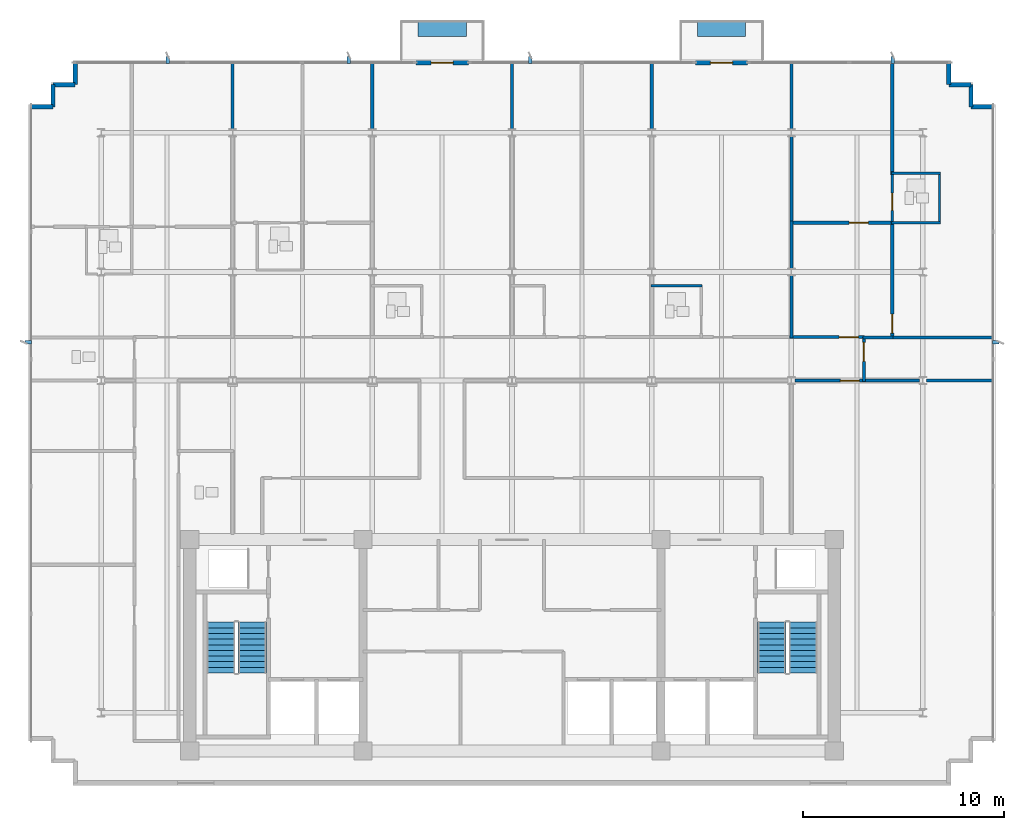
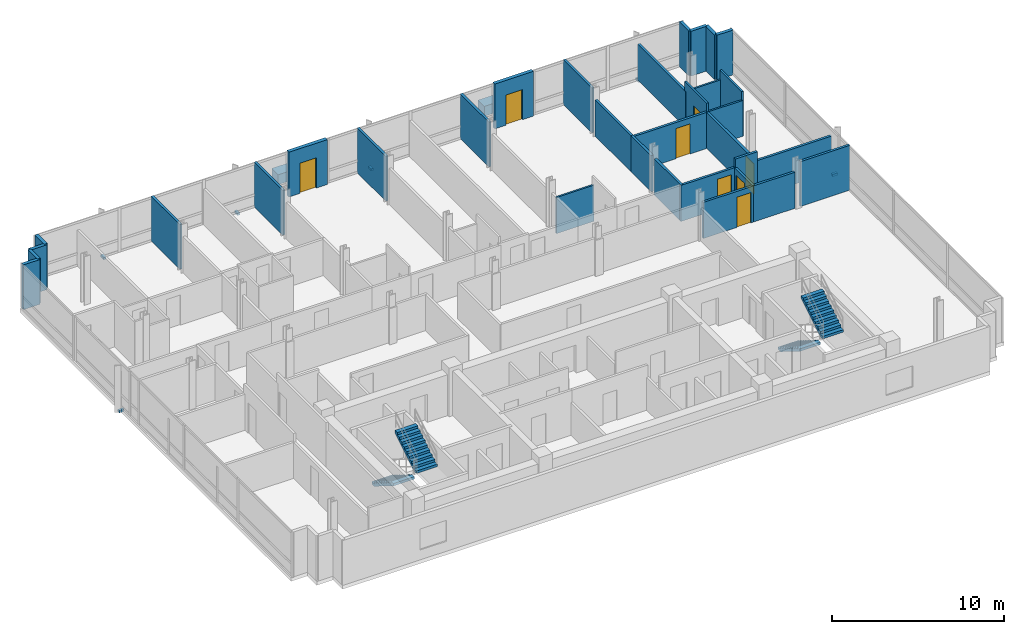
# One storey, part 11 of 14: 33 walls, 8 discrete accessories, 8 doors, 4 stair flights, 8 openings, 2 elements without a shape of their own.
"""IFC4 building model written with IfcOpenShell, lengths in metres."""

from ifc_helpers import new_model, si_unit, direction, frame, frame_2d, origin, origin_2d, place, context, subcontext, project, spatial, polyline, rectangle, outline, extrude, material, layer, layer_set, type_object, element, fill, aggregate, save


model = new_model("IFC4")

# Units and contexts
model_context = context("Model", 3, precision=1e-05, world=origin(), true_north=direction((0.0, 1.0)))
body_context = subcontext(model_context, "Body", "Model", "MODEL_VIEW")
ifc_project = project(units=[si_unit("LENGTHUNIT", "METRE"), si_unit("AREAUNIT", "SQUARE_METRE"), si_unit("VOLUMEUNIT", "CUBIC_METRE"), si_unit("PLANEANGLEUNIT", "RADIAN"), si_unit("MASSUNIT", "GRAM", prefix="KILO")], contexts=[model_context])

# Site, building, storey
site_placement = place(None, origin())
site = spatial("IfcSite", under=ifc_project, at=site_placement, CompositionType="ELEMENT")
building_placement = place(site_placement, origin())
building = spatial("IfcBuilding", under=site, at=building_placement, Name="Solmavex Isthmus Hotel", CompositionType="ELEMENT")
storey_placement = place(building_placement, frame((0.0, 0.0, 248.85009765625)))
storey = spatial("IfcBuildingStorey", under=building, at=storey_placement, Name="L67", CompositionType="ELEMENT", Elevation=248.85009765625)

# Wall, opening, door
ifc_material_1 = material(Name="Precast Concrete C40/50", Category="concrete")
ifc_layer_1 = layer(ifc_material_1, 0.25)
ifc_layer_set_1 = layer_set([ifc_layer_1], Name="Precast Concrete C40/50")
wall_type_1 = type_object("IfcWallType", Name="EW-TWR-250", PredefinedType="STANDARD", material=ifc_layer_set_1)
wall_1_placement = place(storey_placement, frame((-4.76806640625, 21.179931640625, 0.0), z_axis=(0.0, 0.0, 1.0), x_axis=(1.0, 0.0, 0.0)))
wall_1 = element("IfcWall", 1, at=wall_1_placement, inside=storey, type_object=wall_type_1, Name="Exterior Balcony Door Wall L67-2", PredefinedType="STANDARD", context=body_context, shape_type="SweptSolid", body=[
    extrude(rectangle(XDim=2.60009765625, YDim=0.239990234375, at=frame_2d((1.300048828125, 0.0))), origin(), (0.0, 0.0, 1.0), 3.18994140625),
])
opening_1_placement = place(wall_1_placement, frame((0.75, 0.0, 0.0)))
opening_1 = element("IfcOpeningElement", 2, at=opening_1_placement, cuts=wall_1, Name="Opening ED-02", PredefinedType="OPENING", context=body_context, shape_type="SweptSolid", body=[
    extrude(rectangle(XDim=1.10009765625, YDim=2.14990234375, at=frame_2d((0.550048828125, 1.074951171875))), frame((0.0, 0.1298828125, 0.0), z_axis=(0.0, -1.0, 0.0), x_axis=(1.0, 0.0, 0.0)), (0.0, 0.0, 1.0), 0.260009765625),
])
ifc_material_2 = material(Name="Aluminium alloy 6063-T6", Category="aluminium")
door_type_1 = type_object("IfcDoorType", Name="EDR-BALC-1100", OperationType="NOTDEFINED", PredefinedType="DOOR", material=ifc_material_2)
door_1_placement = place(opening_1_placement, origin())
door_1 = element("IfcDoor", 3, at=door_1_placement, inside=storey, type_object=door_type_1, Name="Balcony & Terrace Glazed Door L67-2", OperationType="SINGLE_SWING_RIGHT", OverallHeight=2.14990234375, OverallWidth=1.10009765625, PredefinedType="DOOR", context=body_context, shape_type="SweptSolid", body=[
    extrude(rectangle(XDim=1.10009765625, YDim=2.14990234375, at=frame_2d((0.550048828125, 1.074951171875))), frame((0.0, 0.02490234375, 0.0), z_axis=(0.0, -1.0, 0.0), x_axis=(1.0, 0.0, 0.0)), (0.0, 0.0, 1.0), 0.050048828125),
])
fill(opening_1, door_1)

wall_2_placement = place(storey_placement, frame((9.10400390625, 21.179931640625, 0.0), z_axis=(0.0, 0.0, 1.0), x_axis=(1.0, 0.0, 0.0)))
wall_2 = element("IfcWall", 4, at=wall_2_placement, inside=storey, type_object=wall_type_1, Name="Exterior Balcony Door Wall L67-3", PredefinedType="STANDARD", context=body_context, shape_type="SweptSolid", body=[
    extrude(rectangle(XDim=2.60009765625, YDim=0.239990234375, at=frame_2d((1.300048828125, 0.0))), origin(), (0.0, 0.0, 1.0), 3.18994140625),
])
opening_2_placement = place(wall_2_placement, frame((0.75, 0.0, 0.0)))
opening_2 = element("IfcOpeningElement", 5, at=opening_2_placement, cuts=wall_2, Name="Opening ED-02", PredefinedType="OPENING", context=body_context, shape_type="SweptSolid", body=[
    extrude(rectangle(XDim=1.10009765625, YDim=2.14990234375, at=frame_2d((0.550048828125, 1.074951171875))), frame((0.0, 0.1298828125, 0.0), z_axis=(0.0, -1.0, 0.0), x_axis=(1.0, 0.0, 0.0)), (0.0, 0.0, 1.0), 0.260009765625),
])
door_2_placement = place(opening_2_placement, origin())
door_2 = element("IfcDoor", 6, at=door_2_placement, inside=storey, type_object=door_type_1, Name="Balcony & Terrace Glazed Door L67-3", OperationType="SINGLE_SWING_LEFT", OverallHeight=2.14990234375, OverallWidth=1.10009765625, PredefinedType="DOOR", context=body_context, shape_type="SweptSolid", body=[
    extrude(rectangle(XDim=1.10009765625, YDim=2.14990234375, at=frame_2d((0.550048828125, 1.074951171875))), frame((0.0, 0.02490234375, 0.0), z_axis=(0.0, -1.0, 0.0), x_axis=(1.0, 0.0, 0.0)), (0.0, 0.0, 1.0), 0.050048828125),
])
fill(opening_2, door_2)

# Walls
wall_3_placement = place(storey_placement, frame((-23.889892578125, 18.989990234375, 0.0), z_axis=(0.0, 0.0, 1.0), x_axis=(1.0, 0.0, 0.0)))
element("IfcWall", 7, at=wall_3_placement, inside=storey, type_object=wall_type_1, Name="Serrated Corner Facade Panel L67-06", PredefinedType="STANDARD", context=body_context, shape_type="SweptSolid", body=[
    extrude(rectangle(XDim=1.099853515625, YDim=0.219970703125, at=frame_2d((0.5498046875, 0.0))), origin(), (0.0, 0.0, 1.0), 3.18994140625),
])
for number, where, z_axis, x_axis, name in (
    (8, (-22.7900390625, 18.989990234375, 0.0), (0.0, 0.0, 1.0), (0.0, 1.0, 0.0), "Serrated Corner Facade Panel L67-07"),
    (9, (-22.7900390625, 20.090087890625, 0.0), (0.0, 0.0, 1.0), (1.0, 0.0, 0.0), "Serrated Corner Facade Panel L67-08"),
):
    element("IfcWall", number, at=place(storey_placement, frame(where, z_axis=z_axis, x_axis=x_axis)), inside=storey, type_object=wall_type_1, Name=name, PredefinedType="STANDARD", context=body_context, shape_type="SweptSolid", body=[
        extrude(rectangle(XDim=1.10009765625, YDim=0.219970703125, at=frame_2d((0.550048828125, 0.0))), origin(), (0.0, 0.0, 1.0), 3.18994140625),
    ])
for number, where, z_axis, x_axis, name in (
    (10, (-21.68994140625, 20.090087890625, 0.0), (0.0, 0.0, 1.0), (0.0, 1.0, 0.0), "Serrated Corner Facade Panel L67-09"),
    (11, (21.68994140625, 21.18994140625, 0.0), (0.0, 0.0, 1.0), (0.0, -1.0, 0.0), "Serrated Corner Facade Panel L67-11"),
):
    element("IfcWall", number, at=place(storey_placement, frame(where, z_axis=z_axis, x_axis=x_axis)), inside=storey, type_object=wall_type_1, Name=name, PredefinedType="STANDARD", context=body_context, shape_type="SweptSolid", body=[
        extrude(rectangle(XDim=1.099853515625, YDim=0.219970703125, at=frame_2d((0.5498046875, 0.0))), origin(), (0.0, 0.0, 1.0), 3.18994140625),
    ])
for number, where, z_axis, x_axis, name in (
    (12, (21.68994140625, 20.090087890625, 0.0), (0.0, 0.0, 1.0), (1.0, 0.0, 0.0), "Serrated Corner Facade Panel L67-12"),
    (13, (22.7900390625, 20.090087890625, 0.0), (0.0, 0.0, 1.0), (0.0, -1.0, 0.0), "Serrated Corner Facade Panel L67-13"),
):
    element("IfcWall", number, at=place(storey_placement, frame(where, z_axis=z_axis, x_axis=x_axis)), inside=storey, type_object=wall_type_1, Name=name, PredefinedType="STANDARD", context=body_context, shape_type="SweptSolid", body=[
        extrude(rectangle(XDim=1.10009765625, YDim=0.219970703125, at=frame_2d((0.550048828125, 0.0))), origin(), (0.0, 0.0, 1.0), 3.18994140625),
    ])
wall_4_placement = place(storey_placement, frame((22.7900390625, 18.989990234375, 0.0), z_axis=(0.0, 0.0, 1.0), x_axis=(1.0, 0.0, 0.0)))
element("IfcWall", 14, at=wall_4_placement, inside=storey, type_object=wall_type_1, Name="Serrated Corner Facade Panel L67-14", PredefinedType="STANDARD", context=body_context, shape_type="SweptSolid", body=[
    extrude(rectangle(XDim=1.099853515625, YDim=0.219970703125, at=frame_2d((0.5498046875, 0.0))), origin(), (0.0, 0.0, 1.0), 3.18994140625),
])
ifc_material_3 = material(Name="Gypsum plasterboard lining", Category="gypsum")
ifc_layer_2 = layer(ifc_material_3, 0.159912109375)
ifc_layer_set_2 = layer_set([ifc_layer_2], Name="Gypsum plasterboard lining")
wall_type_2 = type_object("IfcWallType", Name="IW-COMP-160", PredefinedType="PARTITIONING", material=ifc_layer_set_2)
for number, where, z_axis, x_axis, name in (
    (15, (-13.8720703125, 21.219970703125, 0.0), (0.0, 0.0, 1.0), (0.0, -1.0, 0.0), "Interior Partition Wall W-L67-P049"),
    (16, (-6.93603515625, 21.219970703125, 0.0), (0.0, 0.0, 1.0), (0.0, -1.0, 0.0), "Interior Partition Wall W-L67-P060"),
    (17, (0.0, 21.219970703125, 0.0), (0.0, 0.0, 1.0), (0.0, -1.0, 0.0), "Interior Partition Wall W-L67-P065"),
    (18, (6.93603515625, 21.219970703125, 0.0), (0.0, 0.0, 1.0), (0.0, -1.0, 0.0), "Interior Partition Wall W-L67-P071"),
):
    element("IfcWall", number, at=place(storey_placement, frame(where, z_axis=z_axis, x_axis=x_axis)), inside=storey, type_object=wall_type_2, Name=name, PredefinedType="PARTITIONING", context=body_context, shape_type="SweptSolid", body=[
        extrude(rectangle(XDim=3.344970703125, YDim=0.159912109375, at=frame_2d((1.67236328125, 0.0))), origin(), (0.0, 0.0, 1.0), 3.18994140625),
    ])
wall_5_placement = place(storey_placement, frame((13.8720703125, 10.613037109375, 0.0), z_axis=(0.0, 0.0, 1.0), x_axis=(0.0, -1.0, 0.0)))
element("IfcWall", 19, at=wall_5_placement, inside=storey, type_object=wall_type_2, Name="Interior Partition Wall W-L67-P074", PredefinedType="PARTITIONING", context=body_context, shape_type="SweptSolid", body=[
    extrude(rectangle(XDim=3.10302734375, YDim=0.159912109375, at=frame_2d((1.551513671875, 0.0))), origin(), (0.0, 0.0, 1.0), 2.572265625),
])
wall_6_placement = place(storey_placement, frame((13.8720703125, 13.320068359375, 0.0), z_axis=(0.0, 0.0, 1.0), x_axis=(0.0, -1.0, 0.0)))
element("IfcWall", 20, at=wall_6_placement, inside=storey, type_object=wall_type_2, Name="Interior Partition Wall W-L67-P075", PredefinedType="PARTITIONING", context=body_context, shape_type="SweptSolid", body=[
    extrude(rectangle(XDim=2.357177734375, YDim=0.159912109375, at=frame_2d((1.1787109375, 0.0))), origin(), (0.0, 0.0, 1.0), 2.572265625),
])
wall_7_placement = place(storey_placement, frame((13.8720703125, 17.52490234375, 0.0), z_axis=(0.0, 0.0, 1.0), x_axis=(0.0, -1.0, 0.0)))
element("IfcWall", 21, at=wall_7_placement, inside=storey, type_object=wall_type_2, Name="Interior Partition Wall W-L67-P076", PredefinedType="PARTITIONING", context=body_context, shape_type="SweptSolid", body=[
    extrude(rectangle(XDim=4.368896484375, YDim=0.159912109375, at=frame_2d((2.1845703125, 0.0))), origin(), (0.0, 0.0, 1.0), 2.572265625),
])
wall_8_placement = place(storey_placement, frame((13.8720703125, 21.219970703125, 0.0), z_axis=(0.0, 0.0, 1.0), x_axis=(0.0, -1.0, 0.0)))
element("IfcWall", 22, at=wall_8_placement, inside=storey, type_object=wall_type_2, Name="Interior Partition Wall W-L67-P077", PredefinedType="PARTITIONING", context=body_context, shape_type="SweptSolid", body=[
    extrude(rectangle(XDim=3.344970703125, YDim=0.159912109375, at=frame_2d((1.67236328125, 0.0))), origin(), (0.0, 0.0, 1.0), 3.18994140625),
])

# Wall, opening, door
wall_9_placement = place(storey_placement, frame((13.83203125, 13.238037109375, 0.0), z_axis=(0.0, 0.0, 1.0), x_axis=(1.0, 0.0, 0.0)))
wall_9 = element("IfcWall", 23, at=wall_9_placement, inside=storey, type_object=wall_type_2, Name="Interior Partition Wall W-L67-P078", PredefinedType="PARTITIONING", context=body_context, shape_type="SweptSolid", body=[
    extrude(rectangle(XDim=5.083984375, YDim=0.159912109375, at=frame_2d((2.5419921875, 0.0))), origin(), (0.0, 0.0, 1.0), 2.572265625),
])
opening_3_placement = place(wall_9_placement, frame((2.90771484375, 0.0, 0.0)))
opening_3 = element("IfcOpeningElement", 24, at=opening_3_placement, cuts=wall_9, Name="Opening ID-C095", PredefinedType="OPENING", context=body_context, shape_type="SweptSolid", body=[
    extrude(rectangle(XDim=0.949951171875, YDim=2.14990234375, at=frame_2d((0.47509765625, 1.074951171875))), frame((0.0, 0.08984375, 0.0), z_axis=(0.0, -1.0, 0.0), x_axis=(1.0, 0.0, 0.0)), (0.0, 0.0, 1.0), 0.179931640625),
])
ifc_material_4 = material(Name="Hardwood timber", Category="wood")
door_type_2 = type_object("IfcDoorType", Name="IDR-FD60-0950", OperationType="NOTDEFINED", PredefinedType="DOOR", material=ifc_material_4)
door_3_placement = place(opening_3_placement, origin())
door_3 = element("IfcDoor", 25, at=door_3_placement, inside=storey, type_object=door_type_2, Name="Junior Suite Master Bedroom Door L67-17", OperationType="SINGLE_SWING_LEFT", OverallHeight=2.14990234375, OverallWidth=0.949951171875, PredefinedType="DOOR", context=body_context, shape_type="SweptSolid", body=[
    extrude(rectangle(XDim=0.949951171875, YDim=2.14990234375, at=frame_2d((0.47509765625, 1.074951171875))), frame((0.0, 0.02490234375, 0.0), z_axis=(0.0, -1.0, 0.0), x_axis=(1.0, 0.0, 0.0)), (0.0, 0.0, 1.0), 0.050048828125),
])
fill(opening_3, door_3)

wall_10_placement = place(storey_placement, frame((18.8759765625, 13.278076171875, 0.0), z_axis=(0.0, 0.0, 1.0), x_axis=(0.0, -1.0, 0.0)))
wall_10 = element("IfcWall", 26, at=wall_10_placement, inside=storey, type_object=wall_type_2, Name="Interior Partition Wall W-L67-P079", PredefinedType="PARTITIONING", context=body_context, shape_type="SweptSolid", body=[
    extrude(rectangle(XDim=5.7880859375, YDim=0.159912109375, at=frame_2d((2.89404296875, 0.0))), origin(), (0.0, 0.0, 1.0), 2.572265625),
])
opening_4_placement = place(wall_10_placement, frame((4.57666015625, 0.0, 0.0)))
opening_4 = element("IfcOpeningElement", 27, at=opening_4_placement, cuts=wall_10, Name="Opening ID-C095", PredefinedType="OPENING", context=body_context, shape_type="SweptSolid", body=[
    extrude(rectangle(XDim=0.949951171875, YDim=2.14990234375, at=frame_2d((0.47509765625, 1.074951171875))), frame((0.0, 0.08984375, 0.0), z_axis=(0.0, -1.0, 0.0), x_axis=(1.0, 0.0, 0.0)), (0.0, 0.0, 1.0), 0.179931640625),
])
door_4_placement = place(opening_4_placement, frame((0.949951171875, 0.0, 0.0), z_axis=(0.0, 0.0, 1.0), x_axis=(-1.0, 0.0, 0.0)))
door_4 = element("IfcDoor", 28, at=door_4_placement, inside=storey, type_object=door_type_2, Name="Junior Suite Living Lounge Door L67-18", OperationType="SINGLE_SWING_RIGHT", OverallHeight=2.14990234375, OverallWidth=0.949951171875, PredefinedType="DOOR", context=body_context, shape_type="SweptSolid", body=[
    extrude(rectangle(XDim=0.949951171875, YDim=2.14990234375, at=frame_2d((0.47509765625, 1.074951171875))), frame((0.0, 0.02490234375, 0.0), z_axis=(0.0, -1.0, 0.0), x_axis=(1.0, 0.0, 0.0)), (0.0, 0.0, 1.0), 0.050048828125),
])
fill(opening_4, door_4)

# Walls
wall_11_placement = place(storey_placement, frame((18.916015625, 7.530029296875, 0.0), z_axis=(0.0, 0.0, 1.0), x_axis=(-1.0, 0.0, 0.0)))
element("IfcWall", 29, at=wall_11_placement, inside=storey, type_object=wall_type_2, Name="Interior Partition Wall W-L67-P080", PredefinedType="PARTITIONING", context=body_context, shape_type="SweptSolid", body=[
    extrude(rectangle(XDim=1.484130859375, YDim=0.159912109375, at=frame_2d((0.7421875, 0.0))), origin(), (0.0, 0.0, 1.0), 3.18994140625),
])
wall_12_placement = place(storey_placement, frame((18.8759765625, 21.219970703125, 0.0), z_axis=(0.0, 0.0, 1.0), x_axis=(0.0, -1.0, 0.0)))
element("IfcWall", 30, at=wall_12_placement, inside=storey, type_object=wall_type_2, Name="Interior Partition Wall W-L67-P081", PredefinedType="PARTITIONING", context=body_context, shape_type="SweptSolid", body=[
    extrude(rectangle(XDim=5.614013671875, YDim=0.159912109375, at=frame_2d((2.80712890625, 0.0))), origin(), (0.0, 0.0, 1.0), 2.557373046875),
])
wall_13_placement = place(storey_placement, frame((23.919921875, 7.530029296875, 0.0), z_axis=(0.0, 0.0, 1.0), x_axis=(-1.0, 0.0, 0.0)))
element("IfcWall", 31, at=wall_13_placement, inside=storey, type_object=wall_type_2, Name="Interior Partition Wall W-L67-P086", PredefinedType="PARTITIONING", context=body_context, shape_type="SweptSolid", body=[
    extrude(rectangle(XDim=5.083984375, YDim=0.159912109375, at=frame_2d((2.5419921875, 0.0))), origin(), (0.0, 0.0, 1.0), 2.557373046875),
])
wall_14_placement = place(storey_placement, frame((20.22509765625, 5.39990234375, 0.0), z_axis=(0.0, 0.0, 1.0), x_axis=(-1.0, 0.0, 0.0)))
element("IfcWall", 32, at=wall_14_placement, inside=storey, type_object=wall_type_2, Name="Interior Partition Wall W-L67-P091", PredefinedType="PARTITIONING", context=body_context, shape_type="SweptSolid", body=[
    extrude(rectangle(XDim=2.793212890625, YDim=0.159912109375, at=frame_2d((1.396484375, 0.0))), origin(), (0.0, 0.0, 1.0), 2.572265625),
])
wall_15_placement = place(storey_placement, frame((23.919921875, 5.39990234375, 0.0), z_axis=(0.0, 0.0, 1.0), x_axis=(-1.0, 0.0, 0.0)))
element("IfcWall", 33, at=wall_15_placement, inside=storey, type_object=wall_type_2, Name="Interior Partition Wall W-L67-P092", PredefinedType="PARTITIONING", context=body_context, shape_type="SweptSolid", body=[
    extrude(rectangle(XDim=3.344970703125, YDim=0.159912109375, at=frame_2d((1.67236328125, 0.0))), origin(), (0.0, 0.0, 1.0), 3.18994140625),
])

# Wall, opening, door
ifc_layer_3 = layer(ifc_material_3, 0.14990234375)
ifc_layer_set_3 = layer_set([ifc_layer_3], Name="Gypsum plasterboard lining")
wall_type_3 = type_object("IfcWallType", Name="IW-CORR-150", PredefinedType="PARTITIONING", material=ifc_layer_set_3)
wall_16_placement = place(storey_placement, frame((13.7900390625, 7.550048828125, 0.0), z_axis=(0.0, 0.0, 1.0), x_axis=(1.0, 0.0, 0.0)))
wall_16 = element("IfcWall", 34, at=wall_16_placement, inside=storey, type_object=wall_type_3, Name="Interior Partition Wall W-L67-P010", PredefinedType="PARTITIONING", context=body_context, shape_type="SweptSolid", body=[
    extrude(rectangle(XDim=3.721923828125, YDim=0.14990234375, at=frame_2d((1.86083984375, 0.0))), origin(), (0.0, 0.0, 1.0), 2.572265625),
])
opening_5_placement = place(wall_16_placement, frame((2.456787109375, 0.0, 0.0)))
opening_5 = element("IfcOpeningElement", 35, at=opening_5_placement, cuts=wall_16, Name="Opening ID-C095", PredefinedType="OPENING", context=body_context, shape_type="SweptSolid", body=[
    extrude(rectangle(XDim=0.949951171875, YDim=2.14990234375, at=frame_2d((0.47509765625, 1.074951171875))), frame((0.0, 0.0849609375, 0.0), z_axis=(0.0, -1.0, 0.0), x_axis=(1.0, 0.0, 0.0)), (0.0, 0.0, 1.0), 0.169921875),
])
door_5_placement = place(opening_5_placement, origin())
door_5 = element("IfcDoor", 36, at=door_5_placement, inside=storey, type_object=door_type_2, Name="Junior Suite Entrance Hall Door L67-16", OperationType="SINGLE_SWING_RIGHT", OverallHeight=2.14990234375, OverallWidth=0.949951171875, PredefinedType="DOOR", context=body_context, shape_type="SweptSolid", body=[
    extrude(rectangle(XDim=0.949951171875, YDim=2.14990234375, at=frame_2d((0.47509765625, 1.074951171875))), frame((0.0, 0.02490234375, 0.0), z_axis=(0.0, -1.0, 0.0), x_axis=(1.0, 0.0, 0.0)), (0.0, 0.0, 1.0), 0.050048828125),
])
fill(opening_5, door_5)

wall_17_placement = place(storey_placement, frame((17.471923828125, 7.570068359375, 0.0), z_axis=(0.0, 0.0, 1.0), x_axis=(0.0, -1.0, 0.0)))
wall_17 = element("IfcWall", 37, at=wall_17_placement, inside=storey, type_object=wall_type_3, Name="Interior Partition Wall W-L67-P013", PredefinedType="PARTITIONING", context=body_context, shape_type="SweptSolid", body=[
    extrude(rectangle(XDim=2.2099609375, YDim=0.14990234375, at=frame_2d((1.10498046875, 0.0))), origin(), (0.0, 0.0, 1.0), 2.572265625),
])
opening_6_placement = place(wall_17_placement, frame((0.272216796875, 0.0, 0.0)))
opening_6 = element("IfcOpeningElement", 38, at=opening_6_placement, cuts=wall_17, Name="Opening ID-C095", PredefinedType="OPENING", context=body_context, shape_type="SweptSolid", body=[
    extrude(rectangle(XDim=0.949951171875, YDim=2.14990234375, at=frame_2d((0.47509765625, 1.074951171875))), frame((0.0, 0.0849609375, 0.0), z_axis=(0.0, -1.0, 0.0), x_axis=(1.0, 0.0, 0.0)), (0.0, 0.0, 1.0), 0.169921875),
])
door_6_placement = place(opening_6_placement, frame((0.949951171875, 0.0, 0.0), z_axis=(0.0, 0.0, 1.0), x_axis=(-1.0, 0.0, 0.0)))
door_6 = element("IfcDoor", 39, at=door_6_placement, inside=storey, type_object=door_type_2, Name="Finishing Kitchen Door L67-22", OperationType="SINGLE_SWING_RIGHT", OverallHeight=2.14990234375, OverallWidth=0.949951171875, PredefinedType="DOOR", context=body_context, shape_type="SweptSolid", body=[
    extrude(rectangle(XDim=0.949951171875, YDim=2.14990234375, at=frame_2d((0.47509765625, 1.074951171875))), frame((0.0, 0.02490234375, 0.0), z_axis=(0.0, -1.0, 0.0), x_axis=(1.0, 0.0, 0.0)), (0.0, 0.0, 1.0), 0.050048828125),
])
fill(opening_6, door_6)

wall_18_placement = place(storey_placement, frame((17.511962890625, 5.39990234375, 0.0), z_axis=(0.0, 0.0, 1.0), x_axis=(-1.0, 0.0, 0.0)))
wall_18 = element("IfcWall", 40, at=wall_18_placement, inside=storey, type_object=wall_type_3, Name="Interior Partition Wall W-L67-P033", PredefinedType="PARTITIONING", context=body_context, shape_type="SweptSolid", body=[
    extrude(rectangle(XDim=3.46484375, YDim=0.14990234375, at=frame_2d((1.732421875, 0.0))), origin(), (0.0, 0.0, 1.0), 2.572265625),
])
opening_7_placement = place(wall_18_placement, frame((0.26220703125, 0.0, 0.0)))
opening_7 = element("IfcOpeningElement", 41, at=opening_7_placement, cuts=wall_18, Name="Opening ID-C095", PredefinedType="OPENING", context=body_context, shape_type="SweptSolid", body=[
    extrude(rectangle(XDim=0.949951171875, YDim=2.14990234375, at=frame_2d((0.47509765625, 1.074951171875))), frame((0.0, 0.0849609375, 0.0), z_axis=(0.0, -1.0, 0.0), x_axis=(1.0, 0.0, 0.0)), (0.0, 0.0, 1.0), 0.169921875),
])
door_7_placement = place(opening_7_placement, origin())
door_7 = element("IfcDoor", 42, at=door_7_placement, inside=storey, type_object=door_type_2, Name="Reading Library Door L67-27", OperationType="SINGLE_SWING_LEFT", OverallHeight=2.14990234375, OverallWidth=0.949951171875, PredefinedType="DOOR", context=body_context, shape_type="SweptSolid", body=[
    extrude(rectangle(XDim=0.949951171875, YDim=2.14990234375, at=frame_2d((0.47509765625, 1.074951171875))), frame((0.0, 0.02490234375, 0.0), z_axis=(0.0, -1.0, 0.0), x_axis=(1.0, 0.0, 0.0)), (0.0, 0.0, 1.0), 0.050048828125),
])
fill(opening_7, door_7)

# Wall
ifc_layer_4 = layer(ifc_material_3, 0.1201171875)
ifc_layer_set_4 = layer_set([ifc_layer_4], Name="Gypsum plasterboard lining")
wall_type_4 = type_object("IfcWallType", Name="IW-PART-120", PredefinedType="PARTITIONING", material=ifc_layer_set_4)
wall_19_placement = place(storey_placement, frame((9.426025390625, 10.10009765625, 0.0), z_axis=(0.0, 0.0, 1.0), x_axis=(-1.0, 0.0, 0.0)))
element("IfcWall", 43, at=wall_19_placement, inside=storey, type_object=wall_type_4, Name="Interior Partition Wall W-L67-P073", PredefinedType="PARTITIONING", context=body_context, shape_type="SweptSolid", body=[
    extrude(rectangle(XDim=2.530029296875, YDim=0.1201171875, at=frame_2d((1.26513671875, 0.0))), origin(), (0.0, 0.0, 1.0), 2.572265625),
])

# Wall, opening, door
wall_20_placement = place(storey_placement, frame((18.8759765625, 15.77001953125, 0.0), z_axis=(0.0, 0.0, 1.0), x_axis=(0.0, -1.0, 0.0)))
wall_20 = element("IfcWall", 44, at=wall_20_placement, inside=storey, type_object=wall_type_4, Name="Interior Partition Wall W-L67-P082", PredefinedType="PARTITIONING", context=body_context, shape_type="SweptSolid", body=[
    extrude(rectangle(XDim=2.572021484375, YDim=0.1201171875, at=frame_2d((1.2861328125, 0.0))), origin(), (0.0, 0.0, 1.0), 3.18994140625),
])
opening_8_placement = place(wall_20_placement, frame((1.0703125, 0.0, 0.0)))
opening_8 = element("IfcOpeningElement", 45, at=opening_8_placement, cuts=wall_20, Name="Opening ID-U085", PredefinedType="OPENING", context=body_context, shape_type="SweptSolid", body=[
    extrude(rectangle(XDim=0.85009765625, YDim=2.10009765625, at=frame_2d((0.425048828125, 1.050048828125))), frame((0.0, 0.070068359375, 0.0), z_axis=(0.0, -1.0, 0.0), x_axis=(1.0, 0.0, 0.0)), (0.0, 0.0, 1.0), 0.14013671875),
])
door_type_3 = type_object("IfcDoorType", Name="IDR-UNR-0850", OperationType="NOTDEFINED", PredefinedType="DOOR", material=ifc_material_4)
door_8_placement = place(opening_8_placement, frame((0.85009765625, 0.0, 0.0), z_axis=(0.0, 0.0, 1.0), x_axis=(-1.0, 0.0, 0.0)))
door_8 = element("IfcDoor", 46, at=door_8_placement, inside=storey, type_object=door_type_3, Name="En-suite Bathroom Door L67-19", OperationType="SINGLE_SWING_LEFT", OverallHeight=2.10009765625, OverallWidth=0.85009765625, PredefinedType="DOOR", context=body_context, shape_type="SweptSolid", body=[
    extrude(rectangle(XDim=0.85009765625, YDim=2.10009765625, at=frame_2d((0.425048828125, 1.050048828125))), frame((0.0, 0.02490234375, 0.0), z_axis=(0.0, -1.0, 0.0), x_axis=(1.0, 0.0, 0.0)), (0.0, 0.0, 1.0), 0.050048828125),
])
fill(opening_8, door_8)

# Walls
wall_21_placement = place(storey_placement, frame((18.8359375, 13.238037109375, 0.0), z_axis=(0.0, 0.0, 1.0), x_axis=(1.0, 0.0, 0.0)))
element("IfcWall", 47, at=wall_21_placement, inside=storey, type_object=wall_type_4, Name="Interior Partition Wall W-L67-P083", PredefinedType="PARTITIONING", context=body_context, shape_type="SweptSolid", body=[
    extrude(rectangle(XDim=2.43017578125, YDim=0.1201171875, at=frame_2d((1.215087890625, 0.0))), origin(), (0.0, 0.0, 1.0), 2.557373046875),
])
wall_22_placement = place(storey_placement, frame((21.22607421875, 13.197998046875, 0.0), z_axis=(0.0, 0.0, 1.0), x_axis=(0.0, 1.0, 0.0)))
element("IfcWall", 48, at=wall_22_placement, inside=storey, type_object=wall_type_4, Name="Interior Partition Wall W-L67-P084", PredefinedType="PARTITIONING", context=body_context, shape_type="SweptSolid", body=[
    extrude(rectangle(XDim=2.530029296875, YDim=0.1201171875, at=frame_2d((1.26513671875, 0.0))), origin(), (0.0, 0.0, 1.0), 3.18994140625),
])
wall_23_placement = place(storey_placement, frame((21.26611328125, 15.68798828125, 0.0), z_axis=(0.0, 0.0, 1.0), x_axis=(-1.0, 0.0, 0.0)))
element("IfcWall", 49, at=wall_23_placement, inside=storey, type_object=wall_type_4, Name="Interior Partition Wall W-L67-P085", PredefinedType="PARTITIONING", context=body_context, shape_type="SweptSolid", body=[
    extrude(rectangle(XDim=2.43017578125, YDim=0.1201171875, at=frame_2d((1.215087890625, 0.0))), origin(), (0.0, 0.0, 1.0), 2.557373046875),
])

# Stair, stair flights
ifc_material_5 = material(Name="Concrete C40/50", Category="concrete")
stair_type_1 = type_object("IfcStairType", Name="STR-ST-1", PredefinedType="HALF_TURN_STAIR", material=ifc_material_5)
stair_1_placement = place(storey_placement, origin())
stair_1 = element("IfcStair", 50, at=stair_1_placement, inside=storey, type_object=stair_type_1, Name="L67 Protected Exit Stair ST-1", PredefinedType="HALF_TURN_STAIR")
stair_flight_type_1 = type_object("IfcStairFlightType", Name="SFL-ST-1", PredefinedType="STRAIGHT", material=ifc_material_5)
stair_flight_1_placement = place(storey_placement, frame((-14.449951171875, -6.60009765625, 0.0), z_axis=(0.0, 0.0, 1.0), x_axis=(0.0, -1.0, 0.0)))
stair_flight_1 = element("IfcStairFlight", 51, at=stair_flight_1_placement, type_object=stair_flight_type_1, Name="ST-1 flight 1", NumberOfRisers=10, NumberOfTreads=9, PredefinedType="STRAIGHT", RiserHeight=0.1725, TreadLength=0.28, context=body_context, shape_type="SweptSolid", body=[
    extrude(outline(polyline([(0.0, 0.0), (0.0, 0.172607421875), (0.280029296875, 0.172607421875), (0.280029296875, 0.344970703125), (0.56005859375, 0.344970703125), (0.56005859375, 0.517578125), (0.840087890625, 0.517578125), (0.840087890625, 0.68994140625), (1.1201171875, 0.68994140625), (1.1201171875, 0.862548828125), (1.39990234375, 0.862548828125), (1.39990234375, 1.034912109375), (1.679931640625, 1.034912109375), (1.679931640625, 1.20751953125), (1.9599609375, 1.20751953125), (1.9599609375, 1.3798828125), (2.239990234375, 1.3798828125), (2.239990234375, 1.552490234375), (2.52001953125, 1.552490234375), (2.52001953125, 1.72509765625), (2.52001953125, 1.37646484375), (0.285888671875, 0.0), (0.0, 0.0)])), frame((0.0, 0.699951171875, 0.0), z_axis=(0.0, -1.0, 0.0), x_axis=(1.0, 0.0, 0.0)), (0.0, 0.0, 1.0), 1.39990234375),
])
stair_flight_2_placement = place(storey_placement, frame((-12.89990234375, -9.1201171875, 1.724853515625), z_axis=(0.0, 0.0, 1.0), x_axis=(0.0, 1.0, 0.0)))
stair_flight_2 = element("IfcStairFlight", 52, at=stair_flight_2_placement, type_object=stair_flight_type_1, Name="ST-1 flight 2", NumberOfRisers=10, NumberOfTreads=9, PredefinedType="STRAIGHT", RiserHeight=0.1725, TreadLength=0.28, context=body_context, shape_type="SweptSolid", body=[
    extrude(outline(polyline([(0.0, 0.0), (0.0, 0.172607421875), (0.280029296875, 0.172607421875), (0.280029296875, 0.344970703125), (0.56005859375, 0.344970703125), (0.56005859375, 0.517578125), (0.840087890625, 0.517578125), (0.840087890625, 0.68994140625), (1.1201171875, 0.68994140625), (1.1201171875, 0.862548828125), (1.39990234375, 0.862548828125), (1.39990234375, 1.034912109375), (1.679931640625, 1.034912109375), (1.679931640625, 1.20751953125), (1.9599609375, 1.20751953125), (1.9599609375, 1.3798828125), (2.239990234375, 1.3798828125), (2.239990234375, 1.552490234375), (2.52001953125, 1.552490234375), (2.52001953125, 1.72509765625), (2.52001953125, 1.37646484375), (0.285888671875, 0.0), (0.0, 0.0)])), frame((0.0, 0.699951171875, 0.0), z_axis=(0.0, -1.0, 0.0), x_axis=(1.0, 0.0, 0.0)), (0.0, 0.0, 1.0), 1.39990234375),
])
aggregate(stair_1, [stair_flight_1, stair_flight_2])

stair_type_2 = type_object("IfcStairType", Name="STR-ST-2", PredefinedType="HALF_TURN_STAIR", material=ifc_material_5)
stair_2_placement = place(storey_placement, origin())
stair_2 = element("IfcStair", 53, at=stair_2_placement, inside=storey, type_object=stair_type_2, Name="L67 Protected Exit Stair ST-2", PredefinedType="HALF_TURN_STAIR")
stair_flight_type_2 = type_object("IfcStairFlightType", Name="SFL-ST-2", PredefinedType="STRAIGHT", material=ifc_material_5)
stair_flight_3_placement = place(storey_placement, frame((12.89990234375, -6.60009765625, 0.0), z_axis=(0.0, 0.0, 1.0), x_axis=(0.0, -1.0, 0.0)))
stair_flight_3 = element("IfcStairFlight", 54, at=stair_flight_3_placement, type_object=stair_flight_type_2, Name="ST-2 flight 1", NumberOfRisers=10, NumberOfTreads=9, PredefinedType="STRAIGHT", RiserHeight=0.1725, TreadLength=0.28, context=body_context, shape_type="SweptSolid", body=[
    extrude(outline(polyline([(0.0, 0.0), (0.0, 0.172607421875), (0.280029296875, 0.172607421875), (0.280029296875, 0.344970703125), (0.56005859375, 0.344970703125), (0.56005859375, 0.517578125), (0.840087890625, 0.517578125), (0.840087890625, 0.68994140625), (1.1201171875, 0.68994140625), (1.1201171875, 0.862548828125), (1.39990234375, 0.862548828125), (1.39990234375, 1.034912109375), (1.679931640625, 1.034912109375), (1.679931640625, 1.20751953125), (1.9599609375, 1.20751953125), (1.9599609375, 1.3798828125), (2.239990234375, 1.3798828125), (2.239990234375, 1.552490234375), (2.52001953125, 1.552490234375), (2.52001953125, 1.72509765625), (2.52001953125, 1.37646484375), (0.285888671875, 0.0), (0.0, 0.0)])), frame((0.0, 0.699951171875, 0.0), z_axis=(0.0, -1.0, 0.0), x_axis=(1.0, 0.0, 0.0)), (0.0, 0.0, 1.0), 1.39990234375),
])
stair_flight_4_placement = place(storey_placement, frame((14.449951171875, -9.1201171875, 1.724853515625), z_axis=(0.0, 0.0, 1.0), x_axis=(0.0, 1.0, 0.0)))
stair_flight_4 = element("IfcStairFlight", 55, at=stair_flight_4_placement, type_object=stair_flight_type_2, Name="ST-2 flight 2", NumberOfRisers=10, NumberOfTreads=9, PredefinedType="STRAIGHT", RiserHeight=0.1725, TreadLength=0.28, context=body_context, shape_type="SweptSolid", body=[
    extrude(outline(polyline([(0.0, 0.0), (0.0, 0.172607421875), (0.280029296875, 0.172607421875), (0.280029296875, 0.344970703125), (0.56005859375, 0.344970703125), (0.56005859375, 0.517578125), (0.840087890625, 0.517578125), (0.840087890625, 0.68994140625), (1.1201171875, 0.68994140625), (1.1201171875, 0.862548828125), (1.39990234375, 0.862548828125), (1.39990234375, 1.034912109375), (1.679931640625, 1.034912109375), (1.679931640625, 1.20751953125), (1.9599609375, 1.20751953125), (1.9599609375, 1.3798828125), (2.239990234375, 1.3798828125), (2.239990234375, 1.552490234375), (2.52001953125, 1.552490234375), (2.52001953125, 1.72509765625), (2.52001953125, 1.37646484375), (0.285888671875, 0.0), (0.0, 0.0)])), frame((0.0, 0.699951171875, 0.0), z_axis=(0.0, -1.0, 0.0), x_axis=(1.0, 0.0, 0.0)), (0.0, 0.0, 1.0), 1.39990234375),
])
aggregate(stair_2, [stair_flight_3, stair_flight_4])

# Discrete accessories
ifc_material_6 = material(Name="Steel ASTM A572 Grade 50", Category="steel")
discrete_accessory_type_1 = type_object("IfcDiscreteAccessoryType", Name="ACC-BRK-FIN", PredefinedType="BRACKET", material=ifc_material_6)
for number, where, z_axis, x_axis, name in (
    (56, (-17.10009765625, 21.320068359375, -0.169921875), (0.0, 0.0, 1.0), (0.0, 1.0, 0.0), "Facade Fin Support Bracket L67-N1"),
    (57, (-8.10009765625, 21.320068359375, -0.169921875), (0.0, 0.0, 1.0), (0.0, 1.0, 0.0), "Facade Fin Support Bracket L67-N2"),
    (58, (0.89990234375, 21.320068359375, -0.169921875), (0.0, 0.0, 1.0), (0.0, 1.0, 0.0), "Facade Fin Support Bracket L67-N3"),
    (59, (18.89990234375, 21.320068359375, -0.169921875), (0.0, 0.0, 1.0), (0.0, 1.0, 0.0), "Facade Fin Support Bracket L67-N4"),
    (60, (-24.02001953125, 7.300048828125, -0.169921875), (0.0, 0.0, 1.0), (-1.0, 0.0, 0.0), "Facade Fin Support Bracket L67-W1"),
    (61, (24.02001953125, 7.300048828125, -0.169921875), (0.0, 0.0, 1.0), (1.0, 0.0, 0.0), "Facade Fin Support Bracket L67-E1"),
):
    element("IfcDiscreteAccessory", number, at=place(storey_placement, frame(where, z_axis=z_axis, x_axis=x_axis)), inside=storey, type_object=discrete_accessory_type_1, Name=name, PredefinedType="BRACKET", context=body_context, shape_type="SweptSolid", body=[
        extrude(rectangle(XDim=0.340087890625, YDim=0.179931640625, at=origin_2d()), origin(), (0.0, 0.0, 1.0), 0.159912109375),
    ])
discrete_accessory_type_2 = type_object("IfcDiscreteAccessoryType", Name="ACC-PLN-BALC", PredefinedType="USERDEFINED", material=ifc_material_1)
for number, where, z_axis, x_axis, name in (
    (62, (-3.468017578125, 22.85009765625, 0.0), (0.0, 0.0, 1.0), (1.0, 0.0, 0.0), "Tree-Balcony Architectural Planter L67-B1"),
    (63, (10.404052734375, 22.85009765625, 0.0), (0.0, 0.0, 1.0), (1.0, 0.0, 0.0), "Tree-Balcony Architectural Planter L67-B2"),
):
    element("IfcDiscreteAccessory", number, at=place(storey_placement, frame(where, z_axis=z_axis, x_axis=x_axis)), inside=storey, type_object=discrete_accessory_type_2, Name=name, ObjectType="PLANTER", PredefinedType="USERDEFINED", context=body_context, shape_type="SweptSolid", body=[
        extrude(rectangle(XDim=2.39990234375, YDim=0.75, at=origin_2d()), origin(), (0.0, 0.0, 1.0), 0.699951171875),
    ])

save(model, "model.ifc")
